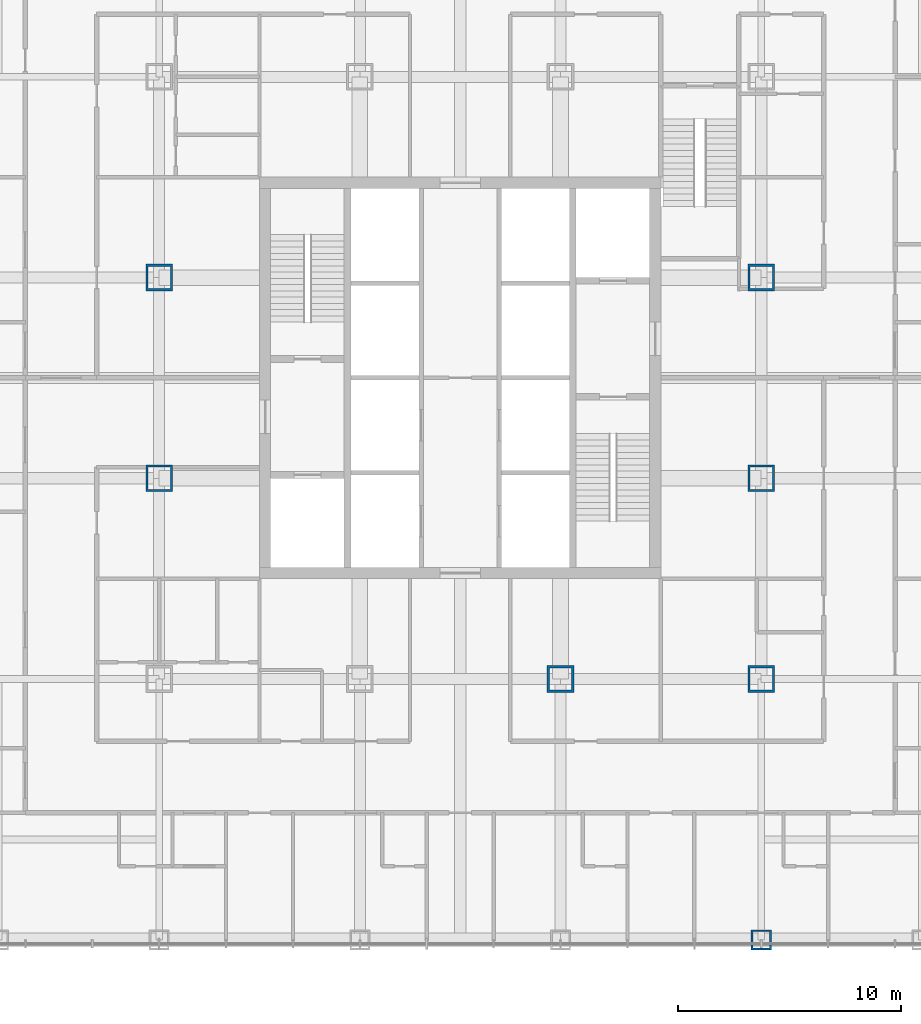
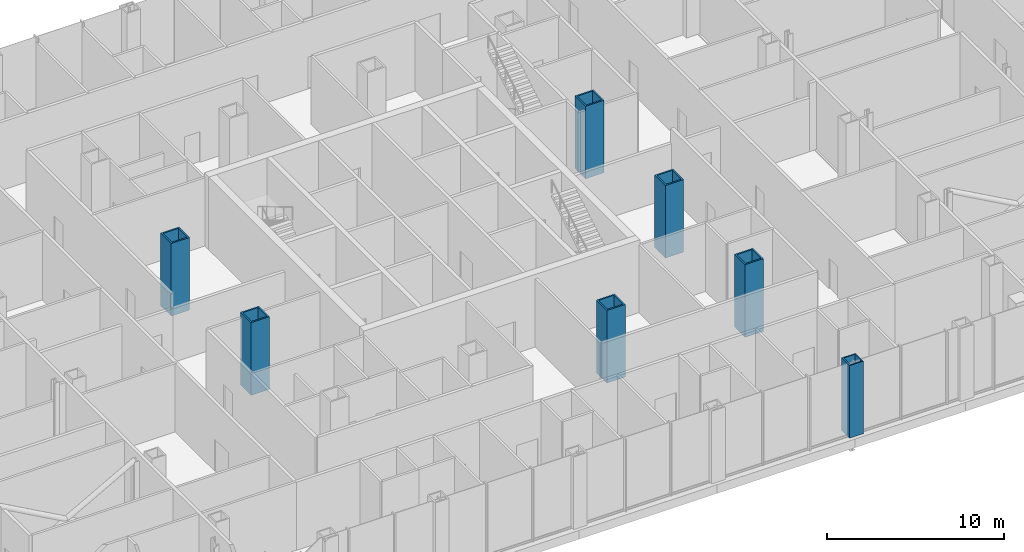
# One storey, part 2 of 28: 7 columns.
"""IFC4 building model written with IfcOpenShell, lengths in metres."""

from ifc_helpers import new_model, si_unit, direction, frame, origin, origin_2d, place, context, subcontext, project, spatial, hollow_rectangle, extrude, material, material_profile, profile_set, type_object, element, save


model = new_model("IFC4")

# Units and contexts
model_context = context("Model", 3, precision=1e-05, world=origin(), true_north=direction((0.0, 1.0)))
body_context = subcontext(model_context, "Body", "Model", "MODEL_VIEW")
ifc_project = project(units=[si_unit("LENGTHUNIT", "METRE"), si_unit("AREAUNIT", "SQUARE_METRE"), si_unit("VOLUMEUNIT", "CUBIC_METRE"), si_unit("PLANEANGLEUNIT", "RADIAN"), si_unit("MASSUNIT", "GRAM", prefix="KILO")], contexts=[model_context])

# Site, building, storey
site_placement = place(None, origin())
site = spatial("IfcSite", under=ifc_project, at=site_placement, CompositionType="ELEMENT")
building_placement = place(site_placement, origin())
building = spatial("IfcBuilding", under=site, at=building_placement, Name="Malebo Sky Hospital", CompositionType="ELEMENT")
storey_placement = place(building_placement, frame((0.0, 0.0, 21.0)))
storey = spatial("IfcBuildingStorey", under=building, at=storey_placement, Name="L04", CompositionType="ELEMENT", Elevation=21.0)

# Columns
ifc_material = material(Name="Steel S460", Category="steel")
ifc_material_profile_1 = material_profile(ifc_material, hollow_rectangle(XDim=1.199951171875, YDim=1.199951171875, WallThickness=0.10009765625, at=origin_2d()), Name="BOX 1200x1200x100")
ifc_profile_set_1 = profile_set([ifc_material_profile_1], Name="Steel S460")
column_type_1 = type_object("IfcColumnType", Name="INNER COLUMN BOX 1200x1200x100", PredefinedType="COLUMN", material=ifc_profile_set_1)
for number, where, z_axis, x_axis, name in (
    (1, (73.5, 48.5, 0.0), (0.0, 0.0, 1.0), (1.0, 0.0, 0.0), "Column IC11 L04"),
    (2, (64.5, 48.5, 0.0), (0.0, 0.0, 1.0), (1.0, 0.0, 0.0), "Column IC11 L04"),
    (3, (46.5, 57.5, 0.0), (0.0, 0.0, 1.0), (1.0, 0.0, 0.0), "Column IC11 L04"),
    (4, (46.5, 66.5, 0.0), (0.0, 0.0, 1.0), (1.0, 0.0, 0.0), "Column IC11 L04"),
    (5, (73.5, 57.5, 0.0), (0.0, 0.0, 1.0), (1.0, 0.0, 0.0), "Column IC11 L04"),
    (6, (73.5, 66.5, 0.0), (0.0, 0.0, 1.0), (1.0, 0.0, 0.0), "Column IC11 L04"),
):
    element("IfcColumn", number, at=place(storey_placement, frame(where, z_axis=z_axis, x_axis=x_axis)), inside=storey, type_object=column_type_1, Name=name, PredefinedType="COLUMN", context=body_context, shape_type="SweptSolid", body=[
        extrude(hollow_rectangle(XDim=1.199951171875, YDim=1.199951171875, WallThickness=0.10009765625, at=origin_2d()), origin(), (0.0, 0.0, 1.0), 5.0),
    ])
ifc_material_profile_2 = material_profile(ifc_material, hollow_rectangle(XDim=0.89990234375, YDim=0.89990234375, WallThickness=0.080078125, at=origin_2d()), Name="BOX 900x900x80")
ifc_profile_set_2 = profile_set([ifc_material_profile_2], Name="Steel S460")
column_type_2 = type_object("IfcColumnType", Name="PERIMETER COLUMN BOX 900x900x80", PredefinedType="COLUMN", material=ifc_profile_set_2)
column_placement = place(storey_placement, frame((73.5, 36.800048828125, 0.0), z_axis=(0.0, 0.0, 1.0), x_axis=(1.0, 0.0, 0.0)))
element("IfcColumn", 7, at=column_placement, inside=storey, type_object=column_type_2, Name="Column PC8 L04", PredefinedType="COLUMN", context=body_context, shape_type="SweptSolid", body=[
    extrude(hollow_rectangle(XDim=0.89990234375, YDim=0.89990234375, WallThickness=0.080078125, at=origin_2d()), origin(), (0.0, 0.0, 1.0), 5.0),
])

save(model, "model.ifc")
